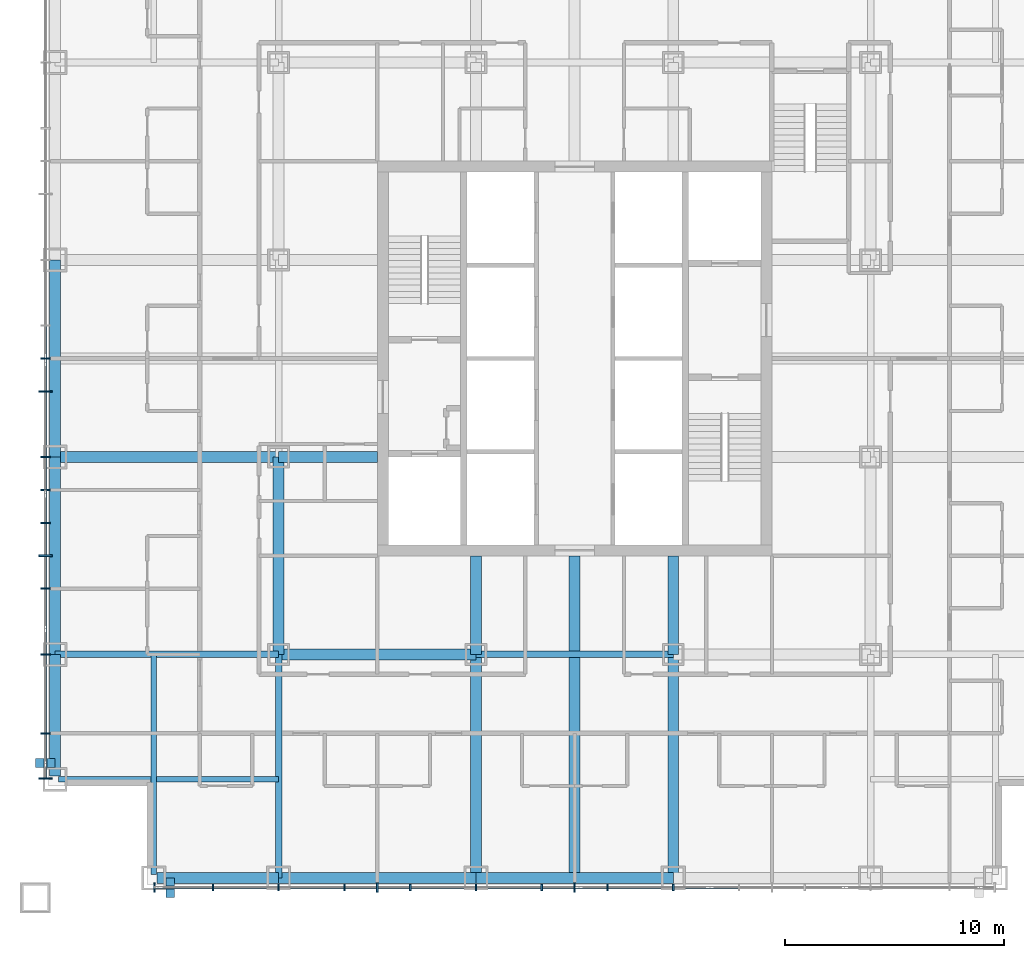
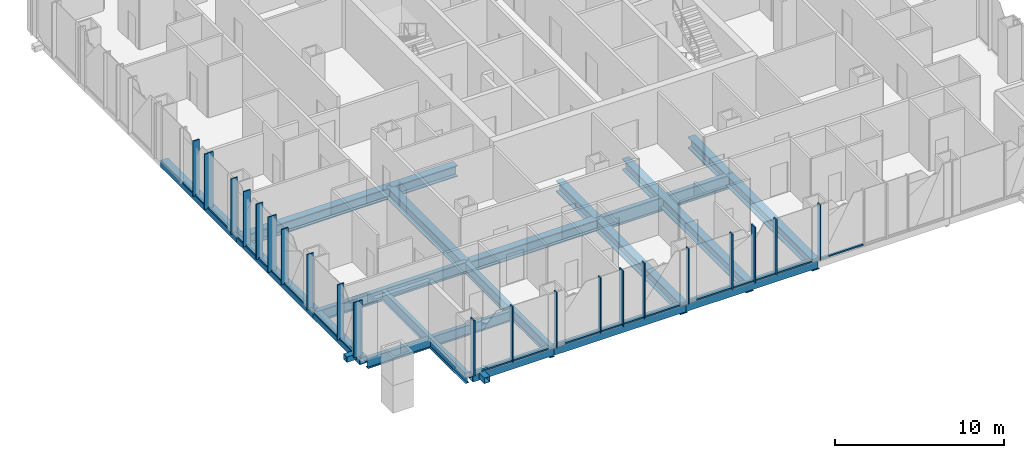
# One storey, part 2 of 23: 44 members, 20 beams, 2 elements without a shape of their own.
"""IFC4 building model written with IfcOpenShell, lengths in metres."""

from ifc_helpers import new_model, si_unit, direction, frame, origin, origin_2d, place, context, subcontext, project, spatial, rectangle, hollow_rectangle, i_section, extrude, material, layer, layer_set, material_profile, profile_set, type_object, element, aggregate, save


model = new_model("IFC4")

# Units and contexts
model_context = context("Model", 3, precision=1e-05, world=origin(), true_north=direction((0.0, 1.0)))
body_context = subcontext(model_context, "Body", "Model", "MODEL_VIEW")
ifc_project = project(units=[si_unit("LENGTHUNIT", "METRE"), si_unit("AREAUNIT", "SQUARE_METRE"), si_unit("VOLUMEUNIT", "CUBIC_METRE"), si_unit("PLANEANGLEUNIT", "RADIAN"), si_unit("MASSUNIT", "GRAM", prefix="KILO")], contexts=[model_context])

# Site, building, storey
site_placement = place(None, origin())
site = spatial("IfcSite", under=ifc_project, at=site_placement, CompositionType="ELEMENT")
building_placement = place(site_placement, origin())
building = spatial("IfcBuilding", under=site, at=building_placement, Name="Malebo Sky Hospital", CompositionType="ELEMENT")
storey_placement = place(building_placement, frame((0.0, 0.0, 168.0)))
storey = spatial("IfcBuildingStorey", under=building, at=storey_placement, Name="L40", CompositionType="ELEMENT", Elevation=168.0)

# Curtain wall, members
ifc_material_1 = material(Name="Anodised aluminium, natural silver", Category="aluminium")
ifc_layer_1 = layer(ifc_material_1, 0.25)
ifc_layer_set_1 = layer_set([ifc_layer_1], Name="WARD CURTAIN WALL EAST AND WEST")
curtain_wall_type_1 = type_object("IfcCurtainWallType", Name="WARD CURTAIN WALL EAST AND WEST", PredefinedType="NOTDEFINED", material=ifc_layer_set_1)
curtain_wall_1_placement = place(storey_placement, origin())
curtain_wall_1 = element("IfcCurtainWall", 1, at=curtain_wall_1_placement, inside=storey, type_object=curtain_wall_type_1, Name="EW curtain wall W", PredefinedType="NOTDEFINED")
ifc_material_profile_1 = material_profile(ifc_material_1, rectangle(XDim=0.14990234375, YDim=0.10009765625, at=origin_2d()), Name="ALUMINIUM TRANSOM 150x100")
ifc_profile_set_1 = profile_set([ifc_material_profile_1], Name="Anodised aluminium, natural silver")
member_type_1 = type_object("IfcMemberType", Name="ALUMINIUM TRANSOM 150x100", PredefinedType="USERDEFINED", material=ifc_profile_set_1)
member_1_placement = place(storey_placement, frame((35.864990234375, 42.875, 0.050048828125), z_axis=(0.0, 1.0, 0.0), x_axis=(-1.0, 0.0, 0.0)))
member_1 = element("IfcMember", 2, at=member_1_placement, type_object=member_type_1, Name="Transom 1", ObjectType="TRANSOM", PredefinedType="USERDEFINED", context=body_context, shape_type="SweptSolid", body=[
    extrude(rectangle(XDim=0.14990234375, YDim=0.10009765625, at=origin_2d()), origin(), (0.0, 0.0, 1.0), 1.987548828125),
])
member_2_placement = place(storey_placement, frame((35.864990234375, 44.9375, 0.050048828125), z_axis=(0.0, 1.0, 0.0), x_axis=(-1.0, 0.0, 0.0)))
member_2 = element("IfcMember", 3, at=member_2_placement, type_object=member_type_1, Name="Transom 2", ObjectType="TRANSOM", PredefinedType="USERDEFINED", context=body_context, shape_type="SweptSolid", body=[
    extrude(rectangle(XDim=0.14990234375, YDim=0.10009765625, at=origin_2d()), origin(), (0.0, 0.0, 1.0), 3.52490234375),
])
member_3_placement = place(storey_placement, frame((35.864990234375, 48.53759765625, 0.050048828125), z_axis=(0.0, 1.0, 0.0), x_axis=(-1.0, 0.0, 0.0)))
member_3 = element("IfcMember", 4, at=member_3_placement, type_object=member_type_1, Name="Transom 3", ObjectType="TRANSOM", PredefinedType="USERDEFINED", context=body_context, shape_type="SweptSolid", body=[
    extrude(rectangle(XDim=0.14990234375, YDim=0.10009765625, at=origin_2d()), origin(), (0.0, 0.0, 1.0), 2.9248046875),
])
member_4_placement = place(storey_placement, frame((35.864990234375, 51.53759765625, 0.050048828125), z_axis=(0.0, 1.0, 0.0), x_axis=(-1.0, 0.0, 0.0)))
member_4 = element("IfcMember", 5, at=member_4_placement, type_object=member_type_1, Name="Transom 4", ObjectType="TRANSOM", PredefinedType="USERDEFINED", context=body_context, shape_type="SweptSolid", body=[
    extrude(rectangle(XDim=0.14990234375, YDim=0.10009765625, at=origin_2d()), origin(), (0.0, 0.0, 1.0), 1.4248046875),
])
member_5_placement = place(storey_placement, frame((35.864990234375, 53.03759765625, 0.050048828125), z_axis=(0.0, 1.0, 0.0), x_axis=(-1.0, 0.0, 0.0)))
member_5 = element("IfcMember", 6, at=member_5_placement, type_object=member_type_1, Name="Transom 5", ObjectType="TRANSOM", PredefinedType="USERDEFINED", context=body_context, shape_type="SweptSolid", body=[
    extrude(rectangle(XDim=0.14990234375, YDim=0.10009765625, at=origin_2d()), origin(), (0.0, 0.0, 1.0), 1.4248046875),
])
member_6_placement = place(storey_placement, frame((35.864990234375, 54.53759765625, 0.050048828125), z_axis=(0.0, 1.0, 0.0), x_axis=(-1.0, 0.0, 0.0)))
member_6 = element("IfcMember", 7, at=member_6_placement, type_object=member_type_1, Name="Transom 6", ObjectType="TRANSOM", PredefinedType="USERDEFINED", context=body_context, shape_type="SweptSolid", body=[
    extrude(rectangle(XDim=0.14990234375, YDim=0.10009765625, at=origin_2d()), origin(), (0.0, 0.0, 1.0), 1.4248046875),
])
member_7_placement = place(storey_placement, frame((35.864990234375, 56.03759765625, 0.050048828125), z_axis=(0.0, 1.0, 0.0), x_axis=(-1.0, 0.0, 0.0)))
member_7 = element("IfcMember", 8, at=member_7_placement, type_object=member_type_1, Name="Transom 7", ObjectType="TRANSOM", PredefinedType="USERDEFINED", context=body_context, shape_type="SweptSolid", body=[
    extrude(rectangle(XDim=0.14990234375, YDim=0.10009765625, at=origin_2d()), origin(), (0.0, 0.0, 1.0), 1.4248046875),
])
member_8_placement = place(storey_placement, frame((35.864990234375, 57.53759765625, 0.050048828125), z_axis=(0.0, 1.0, 0.0), x_axis=(-1.0, 0.0, 0.0)))
member_8 = element("IfcMember", 9, at=member_8_placement, type_object=member_type_1, Name="Transom 8", ObjectType="TRANSOM", PredefinedType="USERDEFINED", context=body_context, shape_type="SweptSolid", body=[
    extrude(rectangle(XDim=0.14990234375, YDim=0.10009765625, at=origin_2d()), origin(), (0.0, 0.0, 1.0), 2.9248046875),
])
member_9_placement = place(storey_placement, frame((35.864990234375, 60.53759765625, 0.050048828125), z_axis=(0.0, 1.0, 0.0), x_axis=(-1.0, 0.0, 0.0)))
member_9 = element("IfcMember", 10, at=member_9_placement, type_object=member_type_1, Name="Transom 9", ObjectType="TRANSOM", PredefinedType="USERDEFINED", context=body_context, shape_type="SweptSolid", body=[
    extrude(rectangle(XDim=0.14990234375, YDim=0.10009765625, at=origin_2d()), origin(), (0.0, 0.0, 1.0), 1.4248046875),
])
member_10_placement = place(storey_placement, frame((35.864990234375, 62.03759765625, 0.050048828125), z_axis=(0.0, 1.0, 0.0), x_axis=(-1.0, 0.0, 0.0)))
member_10 = element("IfcMember", 11, at=member_10_placement, type_object=member_type_1, Name="Transom 10", ObjectType="TRANSOM", PredefinedType="USERDEFINED", context=body_context, shape_type="SweptSolid", body=[
    extrude(rectangle(XDim=0.14990234375, YDim=0.10009765625, at=origin_2d()), origin(), (0.0, 0.0, 1.0), 1.4248046875),
])

ifc_layer_2 = layer(ifc_material_1, 0.25)
ifc_layer_set_2 = layer_set([ifc_layer_2], Name="WARD CURTAIN WALL NORTH AND SOUTH")
curtain_wall_type_2 = type_object("IfcCurtainWallType", Name="WARD CURTAIN WALL NORTH AND SOUTH", PredefinedType="NOTDEFINED", material=ifc_layer_set_2)
curtain_wall_2_placement = place(storey_placement, origin())
curtain_wall_2 = element("IfcCurtainWall", 12, at=curtain_wall_2_placement, inside=storey, type_object=curtain_wall_type_2, Name="NS curtain wall S", PredefinedType="NOTDEFINED")
member_11_placement = place(storey_placement, frame((67.46240234375, 37.864990234375, 0.050048828125), z_axis=(-1.0, 0.0, 0.0), x_axis=(0.0, -1.0, 0.0)))
member_11 = element("IfcMember", 13, at=member_11_placement, type_object=member_type_1, Name="Transom 6", ObjectType="TRANSOM", PredefinedType="USERDEFINED", context=body_context, shape_type="SweptSolid", body=[
    extrude(rectangle(XDim=0.14990234375, YDim=0.10009765625, at=origin_2d()), origin(), (0.0, 0.0, 1.0), 2.9248046875),
])
member_12_placement = place(storey_placement, frame((64.46240234375, 37.864990234375, 0.050048828125), z_axis=(-1.0, 0.0, 0.0), x_axis=(0.0, -1.0, 0.0)))
member_12 = element("IfcMember", 14, at=member_12_placement, type_object=member_type_1, Name="Transom 7", ObjectType="TRANSOM", PredefinedType="USERDEFINED", context=body_context, shape_type="SweptSolid", body=[
    extrude(rectangle(XDim=0.14990234375, YDim=0.10009765625, at=origin_2d()), origin(), (0.0, 0.0, 1.0), 2.9248046875),
])
member_13_placement = place(storey_placement, frame((61.46240234375, 37.864990234375, 0.050048828125), z_axis=(-1.0, 0.0, 0.0), x_axis=(0.0, -1.0, 0.0)))
member_13 = element("IfcMember", 15, at=member_13_placement, type_object=member_type_1, Name="Transom 8", ObjectType="TRANSOM", PredefinedType="USERDEFINED", context=body_context, shape_type="SweptSolid", body=[
    extrude(rectangle(XDim=0.14990234375, YDim=0.10009765625, at=origin_2d()), origin(), (0.0, 0.0, 1.0), 1.4248046875),
])
member_14_placement = place(storey_placement, frame((59.96240234375, 37.864990234375, 0.050048828125), z_axis=(-1.0, 0.0, 0.0), x_axis=(0.0, -1.0, 0.0)))
member_14 = element("IfcMember", 16, at=member_14_placement, type_object=member_type_1, Name="Transom 9", ObjectType="TRANSOM", PredefinedType="USERDEFINED", context=body_context, shape_type="SweptSolid", body=[
    extrude(rectangle(XDim=0.14990234375, YDim=0.10009765625, at=origin_2d()), origin(), (0.0, 0.0, 1.0), 1.4248046875),
])
member_15_placement = place(storey_placement, frame((58.46240234375, 37.864990234375, 0.050048828125), z_axis=(-1.0, 0.0, 0.0), x_axis=(0.0, -1.0, 0.0)))
member_15 = element("IfcMember", 17, at=member_15_placement, type_object=member_type_1, Name="Transom 10", ObjectType="TRANSOM", PredefinedType="USERDEFINED", context=body_context, shape_type="SweptSolid", body=[
    extrude(rectangle(XDim=0.14990234375, YDim=0.10009765625, at=origin_2d()), origin(), (0.0, 0.0, 1.0), 2.9248046875),
])
member_16_placement = place(storey_placement, frame((55.46240234375, 37.864990234375, 0.050048828125), z_axis=(-1.0, 0.0, 0.0), x_axis=(0.0, -1.0, 0.0)))
member_16 = element("IfcMember", 18, at=member_16_placement, type_object=member_type_1, Name="Transom 11", ObjectType="TRANSOM", PredefinedType="USERDEFINED", context=body_context, shape_type="SweptSolid", body=[
    extrude(rectangle(XDim=0.14990234375, YDim=0.10009765625, at=origin_2d()), origin(), (0.0, 0.0, 1.0), 2.9248046875),
])
member_17_placement = place(storey_placement, frame((52.46240234375, 37.864990234375, 0.050048828125), z_axis=(-1.0, 0.0, 0.0), x_axis=(0.0, -1.0, 0.0)))
member_17 = element("IfcMember", 19, at=member_17_placement, type_object=member_type_1, Name="Transom 12", ObjectType="TRANSOM", PredefinedType="USERDEFINED", context=body_context, shape_type="SweptSolid", body=[
    extrude(rectangle(XDim=0.14990234375, YDim=0.10009765625, at=origin_2d()), origin(), (0.0, 0.0, 1.0), 1.4248046875),
])
member_18_placement = place(storey_placement, frame((50.96240234375, 37.864990234375, 0.050048828125), z_axis=(-1.0, 0.0, 0.0), x_axis=(0.0, -1.0, 0.0)))
member_18 = element("IfcMember", 20, at=member_18_placement, type_object=member_type_1, Name="Transom 13", ObjectType="TRANSOM", PredefinedType="USERDEFINED", context=body_context, shape_type="SweptSolid", body=[
    extrude(rectangle(XDim=0.14990234375, YDim=0.10009765625, at=origin_2d()), origin(), (0.0, 0.0, 1.0), 1.4248046875),
])
member_19_placement = place(storey_placement, frame((49.46240234375, 37.864990234375, 0.050048828125), z_axis=(-1.0, 0.0, 0.0), x_axis=(0.0, -1.0, 0.0)))
member_19 = element("IfcMember", 21, at=member_19_placement, type_object=member_type_1, Name="Transom 14", ObjectType="TRANSOM", PredefinedType="USERDEFINED", context=body_context, shape_type="SweptSolid", body=[
    extrude(rectangle(XDim=0.14990234375, YDim=0.10009765625, at=origin_2d()), origin(), (0.0, 0.0, 1.0), 2.9248046875),
])
member_20_placement = place(storey_placement, frame((46.46240234375, 37.864990234375, 0.050048828125), z_axis=(-1.0, 0.0, 0.0), x_axis=(0.0, -1.0, 0.0)))
member_20 = element("IfcMember", 22, at=member_20_placement, type_object=member_type_1, Name="Transom 15", ObjectType="TRANSOM", PredefinedType="USERDEFINED", context=body_context, shape_type="SweptSolid", body=[
    extrude(rectangle(XDim=0.14990234375, YDim=0.10009765625, at=origin_2d()), origin(), (0.0, 0.0, 1.0), 2.9248046875),
])
member_21_placement = place(storey_placement, frame((43.46240234375, 37.864990234375, 0.050048828125), z_axis=(-1.0, 0.0, 0.0), x_axis=(0.0, -1.0, 0.0)))
member_21 = element("IfcMember", 23, at=member_21_placement, type_object=member_type_1, Name="Transom 16", ObjectType="TRANSOM", PredefinedType="USERDEFINED", context=body_context, shape_type="SweptSolid", body=[
    extrude(rectangle(XDim=0.14990234375, YDim=0.10009765625, at=origin_2d()), origin(), (0.0, 0.0, 1.0), 2.58740234375),
])

# Members
ifc_material_2 = material(Name="Steel S355", Category="steel")
ifc_material_profile_2 = material_profile(ifc_material_2, hollow_rectangle(XDim=0.39990234375, YDim=0.39990234375, WallThickness=0.02001953125, at=origin_2d()), Name="SHS 400x20")
ifc_profile_set_2 = profile_set([ifc_material_profile_2], Name="Steel S355")
member_type_2 = type_object("IfcMemberType", Name="BRACE STRUT SHS 400x20", PredefinedType="STRUT", material=ifc_profile_set_2)
for number, where, z_axis, x_axis, name in (
    (24, (41.550048828125, 37.39990234375, -0.39990234375), (0.0, 1.0, 0.0), (-1.0, 0.0, 0.0), "Brace strut BS2 L40"),
    (25, (35.39990234375, 43.550048828125, -0.39990234375), (1.0, 0.0, 0.0), (0.0, 1.0, 0.0), "Brace strut BW1 L40"),
):
    element("IfcMember", number, at=place(storey_placement, frame(where, z_axis=z_axis, x_axis=x_axis)), inside=storey, type_object=member_type_2, Name=name, PredefinedType="STRUT", context=body_context, shape_type="SweptSolid", body=[
        extrude(hollow_rectangle(XDim=0.39990234375, YDim=0.39990234375, WallThickness=0.02001953125, at=origin_2d()), origin(), (0.0, 0.0, 1.0), 0.900146484375),
    ])

# Member
ifc_material_profile_3 = material_profile(ifc_material_1, rectangle(XDim=0.074951171875, YDim=0.300048828125, at=origin_2d()), Name="CW1 ALUMINIUM FIN MULLION 75x300")
ifc_profile_set_3 = profile_set([ifc_material_profile_3], Name="Anodised aluminium, natural silver")
member_type_3 = type_object("IfcMemberType", Name="CW1 ALUMINIUM FIN MULLION 75x300", PredefinedType="MULLION", material=ifc_profile_set_3)
member_22_placement = place(storey_placement, frame((64.5, 37.864990234375, 0.0), z_axis=(0.0, 0.0, 1.0), x_axis=(-1.0, 0.0, 0.0)))
member_22 = element("IfcMember", 26, at=member_22_placement, type_object=member_type_3, Name="Fin mullion 7", PredefinedType="MULLION", context=body_context, shape_type="SweptSolid", body=[
    extrude(rectangle(XDim=0.074951171875, YDim=0.300048828125, at=origin_2d()), origin(), (0.0, 0.0, 1.0), 4.0),
])

member_23_placement = place(storey_placement, frame((61.5, 37.864990234375, 0.0), z_axis=(0.0, 0.0, 1.0), x_axis=(-1.0, 0.0, 0.0)))
member_23 = element("IfcMember", 27, at=member_23_placement, type_object=member_type_3, Name="Fin mullion 8", PredefinedType="MULLION", context=body_context, shape_type="SweptSolid", body=[
    extrude(rectangle(XDim=0.074951171875, YDim=0.300048828125, at=origin_2d()), origin(), (0.0, 0.0, 1.0), 4.0),
])

member_24_placement = place(storey_placement, frame((58.5, 37.864990234375, 0.0), z_axis=(0.0, 0.0, 1.0), x_axis=(-1.0, 0.0, 0.0)))
member_24 = element("IfcMember", 28, at=member_24_placement, type_object=member_type_3, Name="Fin mullion 10", PredefinedType="MULLION", context=body_context, shape_type="SweptSolid", body=[
    extrude(rectangle(XDim=0.074951171875, YDim=0.300048828125, at=origin_2d()), origin(), (0.0, 0.0, 1.0), 4.0),
])

member_25_placement = place(storey_placement, frame((55.5, 37.864990234375, 0.0), z_axis=(0.0, 0.0, 1.0), x_axis=(-1.0, 0.0, 0.0)))
member_25 = element("IfcMember", 29, at=member_25_placement, type_object=member_type_3, Name="Fin mullion 11", PredefinedType="MULLION", context=body_context, shape_type="SweptSolid", body=[
    extrude(rectangle(XDim=0.074951171875, YDim=0.300048828125, at=origin_2d()), origin(), (0.0, 0.0, 1.0), 4.0),
])

member_26_placement = place(storey_placement, frame((52.5, 37.864990234375, 0.0), z_axis=(0.0, 0.0, 1.0), x_axis=(-1.0, 0.0, 0.0)))
member_26 = element("IfcMember", 30, at=member_26_placement, type_object=member_type_3, Name="Fin mullion 12", PredefinedType="MULLION", context=body_context, shape_type="SweptSolid", body=[
    extrude(rectangle(XDim=0.074951171875, YDim=0.300048828125, at=origin_2d()), origin(), (0.0, 0.0, 1.0), 4.0),
])

member_27_placement = place(storey_placement, frame((49.5, 37.864990234375, 0.0), z_axis=(0.0, 0.0, 1.0), x_axis=(-1.0, 0.0, 0.0)))
member_27 = element("IfcMember", 31, at=member_27_placement, type_object=member_type_3, Name="Fin mullion 14", PredefinedType="MULLION", context=body_context, shape_type="SweptSolid", body=[
    extrude(rectangle(XDim=0.074951171875, YDim=0.300048828125, at=origin_2d()), origin(), (0.0, 0.0, 1.0), 4.0),
])

member_28_placement = place(storey_placement, frame((46.5, 37.864990234375, 0.0), z_axis=(0.0, 0.0, 1.0), x_axis=(-1.0, 0.0, 0.0)))
member_28 = element("IfcMember", 32, at=member_28_placement, type_object=member_type_3, Name="Fin mullion 15", PredefinedType="MULLION", context=body_context, shape_type="SweptSolid", body=[
    extrude(rectangle(XDim=0.074951171875, YDim=0.300048828125, at=origin_2d()), origin(), (0.0, 0.0, 1.0), 4.0),
])

member_29_placement = place(storey_placement, frame((43.5, 37.864990234375, 0.0), z_axis=(0.0, 0.0, 1.0), x_axis=(-1.0, 0.0, 0.0)))
member_29 = element("IfcMember", 33, at=member_29_placement, type_object=member_type_3, Name="Fin mullion 16", PredefinedType="MULLION", context=body_context, shape_type="SweptSolid", body=[
    extrude(rectangle(XDim=0.074951171875, YDim=0.300048828125, at=origin_2d()), origin(), (0.0, 0.0, 1.0), 4.0),
])

ifc_material_profile_4 = material_profile(ifc_material_1, rectangle(XDim=0.074951171875, YDim=0.449951171875, at=origin_2d()), Name="CW1 ALUMINIUM FIN MULLION 75x450")
ifc_profile_set_4 = profile_set([ifc_material_profile_4], Name="Anodised aluminium, natural silver")
member_type_4 = type_object("IfcMemberType", Name="CW1 ALUMINIUM FIN MULLION 75x450", PredefinedType="MULLION", material=ifc_profile_set_4)
member_30_placement = place(storey_placement, frame((60.0, 37.864990234375, 0.0), z_axis=(0.0, 0.0, 1.0), x_axis=(-1.0, 0.0, 0.0)))
member_30 = element("IfcMember", 34, at=member_30_placement, type_object=member_type_4, Name="Fin mullion 9", PredefinedType="MULLION", context=body_context, shape_type="SweptSolid", body=[
    extrude(rectangle(XDim=0.074951171875, YDim=0.449951171875, at=origin_2d()), origin(), (0.0, 0.0, 1.0), 4.0),
])

member_31_placement = place(storey_placement, frame((51.0, 37.864990234375, 0.0), z_axis=(0.0, 0.0, 1.0), x_axis=(-1.0, 0.0, 0.0)))
member_31 = element("IfcMember", 35, at=member_31_placement, type_object=member_type_4, Name="Fin mullion 13", PredefinedType="MULLION", context=body_context, shape_type="SweptSolid", body=[
    extrude(rectangle(XDim=0.074951171875, YDim=0.449951171875, at=origin_2d()), origin(), (0.0, 0.0, 1.0), 4.0),
])

member_32_placement = place(storey_placement, frame((40.83740234375, 37.864990234375, 0.0), z_axis=(0.0, 0.0, 1.0), x_axis=(-1.0, 0.0, 0.0)))
member_32 = element("IfcMember", 36, at=member_32_placement, type_object=member_type_4, Name="Fin mullion 17", PredefinedType="MULLION", context=body_context, shape_type="SweptSolid", body=[
    extrude(rectangle(XDim=0.074951171875, YDim=0.449951171875, at=origin_2d()), origin(), (0.0, 0.0, 1.0), 4.0),
])

aggregate(curtain_wall_2, [member_22, member_23, member_30, member_24, member_25, member_26, member_31, member_27, member_28, member_29, member_32, member_11, member_12, member_13, member_14, member_15, member_16, member_17, member_18, member_19, member_20, member_21])

ifc_material_profile_5 = material_profile(ifc_material_1, rectangle(XDim=0.074951171875, YDim=0.449951171875, at=origin_2d()), Name="CW2 ALUMINIUM FIN MULLION 75x450")
ifc_profile_set_5 = profile_set([ifc_material_profile_5], Name="Anodised aluminium, natural silver")
member_type_5 = type_object("IfcMemberType", Name="CW2 ALUMINIUM FIN MULLION 75x450", PredefinedType="MULLION", material=ifc_profile_set_5)
member_33_placement = place(storey_placement, frame((35.864990234375, 44.89990234375, 0.0), z_axis=(0.0, 0.0, 1.0), x_axis=(0.0, 1.0, 0.0)))
member_33 = element("IfcMember", 37, at=member_33_placement, type_object=member_type_5, Name="Fin mullion 2", PredefinedType="MULLION", context=body_context, shape_type="SweptSolid", body=[
    extrude(rectangle(XDim=0.074951171875, YDim=0.449951171875, at=origin_2d()), origin(), (0.0, 0.0, 1.0), 4.0),
])

member_34_placement = place(storey_placement, frame((35.864990234375, 48.5, 0.0), z_axis=(0.0, 0.0, 1.0), x_axis=(0.0, 1.0, 0.0)))
member_34 = element("IfcMember", 38, at=member_34_placement, type_object=member_type_5, Name="Fin mullion 3", PredefinedType="MULLION", context=body_context, shape_type="SweptSolid", body=[
    extrude(rectangle(XDim=0.074951171875, YDim=0.449951171875, at=origin_2d()), origin(), (0.0, 0.0, 1.0), 4.0),
])

member_35_placement = place(storey_placement, frame((35.864990234375, 51.5, 0.0), z_axis=(0.0, 0.0, 1.0), x_axis=(0.0, 1.0, 0.0)))
member_35 = element("IfcMember", 39, at=member_35_placement, type_object=member_type_5, Name="Fin mullion 4", PredefinedType="MULLION", context=body_context, shape_type="SweptSolid", body=[
    extrude(rectangle(XDim=0.074951171875, YDim=0.449951171875, at=origin_2d()), origin(), (0.0, 0.0, 1.0), 4.0),
])

member_36_placement = place(storey_placement, frame((35.864990234375, 54.5, 0.0), z_axis=(0.0, 0.0, 1.0), x_axis=(0.0, 1.0, 0.0)))
member_36 = element("IfcMember", 40, at=member_36_placement, type_object=member_type_5, Name="Fin mullion 6", PredefinedType="MULLION", context=body_context, shape_type="SweptSolid", body=[
    extrude(rectangle(XDim=0.074951171875, YDim=0.449951171875, at=origin_2d()), origin(), (0.0, 0.0, 1.0), 4.0),
])

member_37_placement = place(storey_placement, frame((35.864990234375, 56.0, 0.0), z_axis=(0.0, 0.0, 1.0), x_axis=(0.0, 1.0, 0.0)))
member_37 = element("IfcMember", 41, at=member_37_placement, type_object=member_type_5, Name="Fin mullion 7", PredefinedType="MULLION", context=body_context, shape_type="SweptSolid", body=[
    extrude(rectangle(XDim=0.074951171875, YDim=0.449951171875, at=origin_2d()), origin(), (0.0, 0.0, 1.0), 4.0),
])

member_38_placement = place(storey_placement, frame((35.864990234375, 57.5, 0.0), z_axis=(0.0, 0.0, 1.0), x_axis=(0.0, 1.0, 0.0)))
member_38 = element("IfcMember", 42, at=member_38_placement, type_object=member_type_5, Name="Fin mullion 8", PredefinedType="MULLION", context=body_context, shape_type="SweptSolid", body=[
    extrude(rectangle(XDim=0.074951171875, YDim=0.449951171875, at=origin_2d()), origin(), (0.0, 0.0, 1.0), 4.0),
])

member_39_placement = place(storey_placement, frame((35.864990234375, 62.0, 0.0), z_axis=(0.0, 0.0, 1.0), x_axis=(0.0, 1.0, 0.0)))
member_39 = element("IfcMember", 43, at=member_39_placement, type_object=member_type_5, Name="Fin mullion 10", PredefinedType="MULLION", context=body_context, shape_type="SweptSolid", body=[
    extrude(rectangle(XDim=0.074951171875, YDim=0.449951171875, at=origin_2d()), origin(), (0.0, 0.0, 1.0), 4.0),
])

ifc_material_profile_6 = material_profile(ifc_material_1, rectangle(XDim=0.074951171875, YDim=0.60009765625, at=origin_2d()), Name="CW2 ALUMINIUM FIN MULLION 75x600")
ifc_profile_set_6 = profile_set([ifc_material_profile_6], Name="Anodised aluminium, natural silver")
member_type_6 = type_object("IfcMemberType", Name="CW2 ALUMINIUM FIN MULLION 75x600", PredefinedType="MULLION", material=ifc_profile_set_6)
member_40_placement = place(storey_placement, frame((35.864990234375, 42.83740234375, 0.0), z_axis=(0.0, 0.0, 1.0), x_axis=(0.0, 1.0, 0.0)))
member_40 = element("IfcMember", 44, at=member_40_placement, type_object=member_type_6, Name="Fin mullion 1", PredefinedType="MULLION", context=body_context, shape_type="SweptSolid", body=[
    extrude(rectangle(XDim=0.074951171875, YDim=0.60009765625, at=origin_2d()), origin(), (0.0, 0.0, 1.0), 4.0),
])

member_41_placement = place(storey_placement, frame((35.864990234375, 53.0, 0.0), z_axis=(0.0, 0.0, 1.0), x_axis=(0.0, 1.0, 0.0)))
member_41 = element("IfcMember", 45, at=member_41_placement, type_object=member_type_6, Name="Fin mullion 5", PredefinedType="MULLION", context=body_context, shape_type="SweptSolid", body=[
    extrude(rectangle(XDim=0.074951171875, YDim=0.60009765625, at=origin_2d()), origin(), (0.0, 0.0, 1.0), 4.0),
])

member_42_placement = place(storey_placement, frame((35.864990234375, 60.5, 0.0), z_axis=(0.0, 0.0, 1.0), x_axis=(0.0, 1.0, 0.0)))
member_42 = element("IfcMember", 46, at=member_42_placement, type_object=member_type_6, Name="Fin mullion 9", PredefinedType="MULLION", context=body_context, shape_type="SweptSolid", body=[
    extrude(rectangle(XDim=0.074951171875, YDim=0.60009765625, at=origin_2d()), origin(), (0.0, 0.0, 1.0), 4.0),
])

aggregate(curtain_wall_1, [member_40, member_33, member_34, member_35, member_41, member_36, member_37, member_38, member_42, member_39, member_1, member_2, member_3, member_4, member_5, member_6, member_7, member_8, member_9, member_10])

# Beams
ifc_material_3 = material(Name="Steel S460", Category="steel")
ifc_material_profile_7 = material_profile(ifc_material_3, hollow_rectangle(XDim=0.5, YDim=0.5, WallThickness=0.030029296875, at=origin_2d()), Name="BOX 500x500x30")
ifc_profile_set_7 = profile_set([ifc_material_profile_7], Name="Steel S460")
beam_type_1 = type_object("IfcBeamType", Name="EDGE BEAM BOX 500x500x30", PredefinedType="BEAM", material=ifc_profile_set_7)
beam_1_placement = place(storey_placement, frame((36.300048828125, 42.949951171875, -0.5), z_axis=(0.0, 1.0, 0.0), x_axis=(-1.0, 0.0, 0.0)))
element("IfcBeam", 47, at=beam_1_placement, inside=storey, type_object=beam_type_1, Name="Beam 000 L40", PredefinedType="BEAM", context=body_context, shape_type="SweptSolid", body=[
    extrude(hollow_rectangle(XDim=0.5, YDim=0.5, WallThickness=0.030029296875, at=origin_2d()), origin(), (0.0, 0.0, 1.0), 5.550048828125),
])
for number, where, z_axis, x_axis, name in (
    (48, (36.300048828125, 48.5, -0.5), (0.0, 1.0, 0.0), (-1.0, 0.0, 0.0), "Beam 001 L40"),
    (49, (36.300048828125, 57.5, -0.5), (0.0, 1.0, 0.0), (-1.0, 0.0, 0.0), "Beam 002 L40"),
):
    element("IfcBeam", number, at=place(storey_placement, frame(where, z_axis=z_axis, x_axis=x_axis)), inside=storey, type_object=beam_type_1, Name=name, PredefinedType="BEAM", context=body_context, shape_type="SweptSolid", body=[
        extrude(hollow_rectangle(XDim=0.5, YDim=0.5, WallThickness=0.030029296875, at=origin_2d()), origin(), (0.0, 0.0, 1.0), 9.0),
    ])
beam_2_placement = place(storey_placement, frame((40.949951171875, 38.300048828125, -0.5), z_axis=(1.0, 0.0, 0.0), x_axis=(0.0, 1.0, 0.0)))
element("IfcBeam", 50, at=beam_2_placement, inside=storey, type_object=beam_type_1, Name="Beam 034 L40", PredefinedType="BEAM", context=body_context, shape_type="SweptSolid", body=[
    extrude(hollow_rectangle(XDim=0.5, YDim=0.5, WallThickness=0.030029296875, at=origin_2d()), origin(), (0.0, 0.0, 1.0), 5.550048828125),
])
for number, where, z_axis, x_axis, name in (
    (51, (46.5, 38.300048828125, -0.5), (1.0, 0.0, 0.0), (0.0, 1.0, 0.0), "Beam 035 L40"),
    (52, (55.5, 38.300048828125, -0.5), (1.0, 0.0, 0.0), (0.0, 1.0, 0.0), "Beam 036 L40"),
):
    element("IfcBeam", number, at=place(storey_placement, frame(where, z_axis=z_axis, x_axis=x_axis)), inside=storey, type_object=beam_type_1, Name=name, PredefinedType="BEAM", context=body_context, shape_type="SweptSolid", body=[
        extrude(hollow_rectangle(XDim=0.5, YDim=0.5, WallThickness=0.030029296875, at=origin_2d()), origin(), (0.0, 0.0, 1.0), 9.0),
    ])
ifc_material_profile_8 = material_profile(ifc_material_2, i_section(OverallWidth=0.262939453125, OverallDepth=0.7529296875, WebThickness=0.011474609375, FlangeThickness=0.01708984375, FilletRadius=0.01708984375, at=origin_2d()), Name="IPE 750x137")
ifc_profile_set_8 = profile_set([ifc_material_profile_8], Name="Steel S355")
beam_type_2 = type_object("IfcBeamType", Name="FLOOR BEAM IPE 750x137", PredefinedType="BEAM", material=ifc_profile_set_8)
for number, where, z_axis, x_axis, name in (
    (53, (40.800048828125, 38.449951171875, -0.62646484375), (0.0, 1.0, 0.0), (-1.0, 0.0, 0.0), "Beam 005 L40"),
    (54, (36.449951171875, 42.800048828125, -0.62646484375), (1.0, 0.0, 0.0), (0.0, 1.0, 0.0), "Beam 039 L40"),
):
    element("IfcBeam", number, at=place(storey_placement, frame(where, z_axis=z_axis, x_axis=x_axis)), inside=storey, type_object=beam_type_2, Name=name, PredefinedType="BEAM", context=body_context, shape_type="SweptSolid", body=[
        extrude(i_section(OverallWidth=0.262939453125, OverallDepth=0.7529296875, WebThickness=0.011474609375, FlangeThickness=0.01708984375, FilletRadius=0.01708984375, at=origin_2d()), origin(), (0.0, 0.0, 1.0), 10.050048828125),
    ])
ifc_material_profile_9 = material_profile(ifc_material_2, i_section(OverallWidth=0.5, OverallDepth=0.800048828125, WebThickness=0.030029296875, FlangeThickness=0.050048828125, at=origin_2d()), Name="PG 800x500x30x50")
ifc_profile_set_9 = profile_set([ifc_material_profile_9], Name="Steel S355")
beam_type_3 = type_object("IfcBeamType", Name="FLOOR BEAM PG 800x500x30x50", PredefinedType="BEAM", material=ifc_profile_set_9)
beam_3_placement = place(storey_placement, frame((46.5, 48.5, -0.64990234375), z_axis=(0.0, 1.0, 0.0), x_axis=(-1.0, 0.0, 0.0)))
element("IfcBeam", 55, at=beam_3_placement, inside=storey, type_object=beam_type_3, Name="Beam 008 L40", PredefinedType="BEAM", context=body_context, shape_type="SweptSolid", body=[
    extrude(i_section(OverallWidth=0.5, OverallDepth=0.800048828125, WebThickness=0.030029296875, FlangeThickness=0.050048828125, at=origin_2d()), origin(), (0.0, 0.0, 1.0), 9.0),
])
beam_4_placement = place(storey_placement, frame((55.5, 38.300048828125, -0.64990234375), z_axis=(0.0, 1.0, 0.0), x_axis=(-1.0, 0.0, 0.0)))
element("IfcBeam", 56, at=beam_4_placement, inside=storey, type_object=beam_type_3, Name="Beam 012 L40", PredefinedType="BEAM", context=body_context, shape_type="SweptSolid", body=[
    extrude(i_section(OverallWidth=0.5, OverallDepth=0.800048828125, WebThickness=0.030029296875, FlangeThickness=0.050048828125, at=origin_2d()), origin(), (0.0, 0.0, 1.0), 10.199951171875),
])
beam_5_placement = place(storey_placement, frame((55.5, 48.5, -0.64990234375), z_axis=(0.0, 1.0, 0.0), x_axis=(-1.0, 0.0, 0.0)))
element("IfcBeam", 57, at=beam_5_placement, inside=storey, type_object=beam_type_3, Name="Beam 013 L40", PredefinedType="BEAM", context=body_context, shape_type="SweptSolid", body=[
    extrude(i_section(OverallWidth=0.5, OverallDepth=0.800048828125, WebThickness=0.030029296875, FlangeThickness=0.050048828125, at=origin_2d()), origin(), (0.0, 0.0, 1.0), 4.5),
])
beam_6_placement = place(storey_placement, frame((60.0, 38.300048828125, -0.64990234375), z_axis=(0.0, 1.0, 0.0), x_axis=(-1.0, 0.0, 0.0)))
element("IfcBeam", 58, at=beam_6_placement, inside=storey, type_object=beam_type_3, Name="Beam 016 L40", PredefinedType="BEAM", context=body_context, shape_type="SweptSolid", body=[
    extrude(i_section(OverallWidth=0.5, OverallDepth=0.800048828125, WebThickness=0.030029296875, FlangeThickness=0.050048828125, at=origin_2d()), origin(), (0.0, 0.0, 1.0), 14.699951171875),
])
beam_7_placement = place(storey_placement, frame((64.5, 38.300048828125, -0.64990234375), z_axis=(0.0, 1.0, 0.0), x_axis=(-1.0, 0.0, 0.0)))
element("IfcBeam", 59, at=beam_7_placement, inside=storey, type_object=beam_type_3, Name="Beam 018 L40", PredefinedType="BEAM", context=body_context, shape_type="SweptSolid", body=[
    extrude(i_section(OverallWidth=0.5, OverallDepth=0.800048828125, WebThickness=0.030029296875, FlangeThickness=0.050048828125, at=origin_2d()), origin(), (0.0, 0.0, 1.0), 10.199951171875),
])
beam_8_placement = place(storey_placement, frame((64.5, 48.5, -0.64990234375), z_axis=(0.0, 1.0, 0.0), x_axis=(-1.0, 0.0, 0.0)))
element("IfcBeam", 60, at=beam_8_placement, inside=storey, type_object=beam_type_3, Name="Beam 019 L40", PredefinedType="BEAM", context=body_context, shape_type="SweptSolid", body=[
    extrude(i_section(OverallWidth=0.5, OverallDepth=0.800048828125, WebThickness=0.030029296875, FlangeThickness=0.050048828125, at=origin_2d()), origin(), (0.0, 0.0, 1.0), 4.5),
])
beam_9_placement = place(storey_placement, frame((46.5, 48.5, -0.64990234375), z_axis=(1.0, 0.0, 0.0), x_axis=(0.0, 1.0, 0.0)))
element("IfcBeam", 61, at=beam_9_placement, inside=storey, type_object=beam_type_3, Name="Beam 042 L40", PredefinedType="BEAM", context=body_context, shape_type="SweptSolid", body=[
    extrude(i_section(OverallWidth=0.5, OverallDepth=0.800048828125, WebThickness=0.030029296875, FlangeThickness=0.050048828125, at=origin_2d()), origin(), (0.0, 0.0, 1.0), 9.0),
])
beam_10_placement = place(storey_placement, frame((36.300048828125, 57.5, -0.64990234375), z_axis=(1.0, 0.0, 0.0), x_axis=(0.0, 1.0, 0.0)))
element("IfcBeam", 62, at=beam_10_placement, inside=storey, type_object=beam_type_3, Name="Beam 046 L40", PredefinedType="BEAM", context=body_context, shape_type="SweptSolid", body=[
    extrude(i_section(OverallWidth=0.5, OverallDepth=0.800048828125, WebThickness=0.030029296875, FlangeThickness=0.050048828125, at=origin_2d()), origin(), (0.0, 0.0, 1.0), 10.199951171875),
])
beam_11_placement = place(storey_placement, frame((46.5, 57.5, -0.64990234375), z_axis=(1.0, 0.0, 0.0), x_axis=(0.0, 1.0, 0.0)))
element("IfcBeam", 63, at=beam_11_placement, inside=storey, type_object=beam_type_3, Name="Beam 047 L40", PredefinedType="BEAM", context=body_context, shape_type="SweptSolid", body=[
    extrude(i_section(OverallWidth=0.5, OverallDepth=0.800048828125, WebThickness=0.030029296875, FlangeThickness=0.050048828125, at=origin_2d()), origin(), (0.0, 0.0, 1.0), 4.5),
])
ifc_material_profile_10 = material_profile(ifc_material_2, i_section(OverallWidth=0.300048828125, OverallDepth=0.800048828125, WebThickness=0.017578125, FlangeThickness=0.032958984375, FilletRadius=0.030029296875, at=origin_2d()), Name="HEB 800")
ifc_profile_set_10 = profile_set([ifc_material_profile_10], Name="Steel S355")
beam_type_4 = type_object("IfcBeamType", Name="FLOOR GIRDER HEB 800", PredefinedType="BEAM", material=ifc_profile_set_10)
for number, where, z_axis, x_axis, name in (
    (64, (46.5, 38.300048828125, -0.64990234375), (0.0, 1.0, 0.0), (-1.0, 0.0, 0.0), "Beam 007 L40"),
    (65, (36.300048828125, 48.5, -0.64990234375), (1.0, 0.0, 0.0), (0.0, 1.0, 0.0), "Beam 041 L40"),
):
    element("IfcBeam", number, at=place(storey_placement, frame(where, z_axis=z_axis, x_axis=x_axis)), inside=storey, type_object=beam_type_4, Name=name, PredefinedType="BEAM", context=body_context, shape_type="SweptSolid", body=[
        extrude(i_section(OverallWidth=0.300048828125, OverallDepth=0.800048828125, WebThickness=0.017578125, FlangeThickness=0.032958984375, FilletRadius=0.030029296875, at=origin_2d()), origin(), (0.0, 0.0, 1.0), 10.199951171875),
    ])
ifc_material_profile_11 = material_profile(ifc_material_2, i_section(OverallWidth=0.300048828125, OverallDepth=1.0, WebThickness=0.01904296875, FlangeThickness=0.035888671875, FilletRadius=0.030029296875, at=origin_2d()), Name="HEB 1000")
ifc_profile_set_11 = profile_set([ifc_material_profile_11], Name="Steel S355")
beam_type_5 = type_object("IfcBeamType", Name="RING GIRDER HEB 1000", PredefinedType="BEAM", material=ifc_profile_set_11)
beam_12_placement = place(storey_placement, frame((55.5, 48.5, -0.75), z_axis=(1.0, 0.0, 0.0), x_axis=(0.0, 1.0, 0.0)))
element("IfcBeam", 66, at=beam_12_placement, inside=storey, type_object=beam_type_5, Name="Beam 043 L40", PredefinedType="BEAM", context=body_context, shape_type="SweptSolid", body=[
    extrude(i_section(OverallWidth=0.300048828125, OverallDepth=1.0, WebThickness=0.01904296875, FlangeThickness=0.035888671875, FilletRadius=0.030029296875, at=origin_2d()), origin(), (0.0, 0.0, 1.0), 9.0),
])

save(model, "model.ifc")
